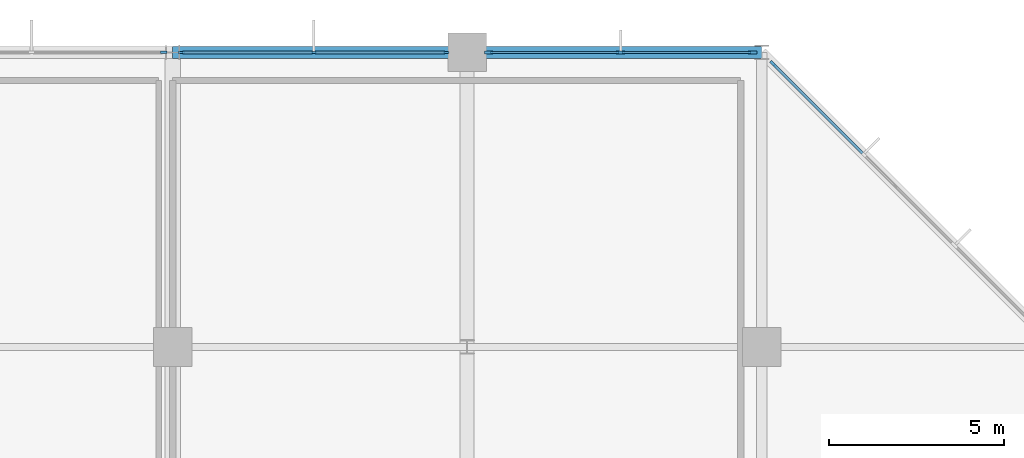
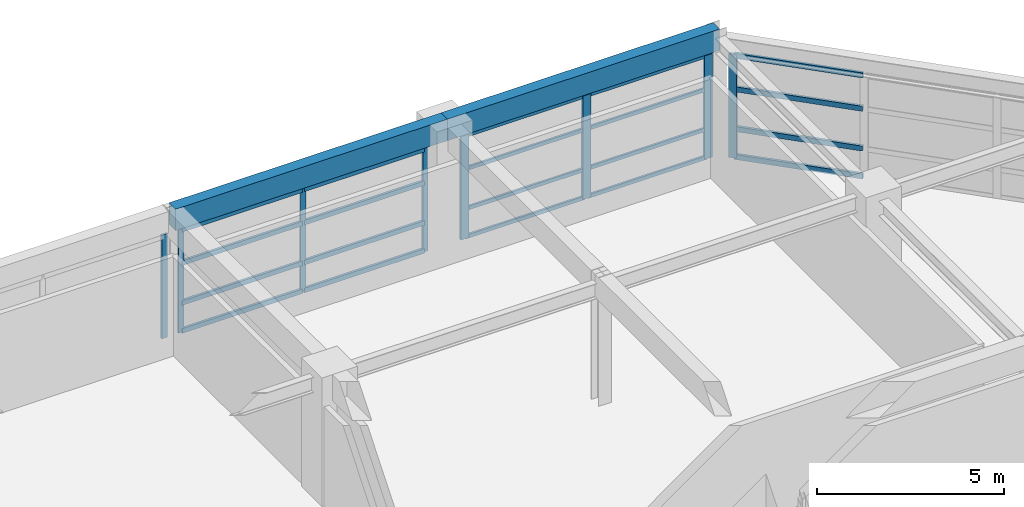
# One storey, part 11 of 18: 28 members, 2 beams, 4 elements without a shape of their own.
"""IFC4 building model written with IfcOpenShell, lengths in metres."""

from ifc_helpers import new_model, si_unit, direction, frame, origin, origin_2d, place, context, subcontext, project, spatial, rectangle, extrude, material, material_profile, profile_set, type_object, element, aggregate, save


model = new_model("IFC4")

# Units and contexts
model_context = context("Model", 3, precision=1e-05, world=origin(), true_north=direction((0.0, 1.0)))
body_context = subcontext(model_context, "Body", "Model", "MODEL_VIEW")
ifc_project = project(units=[si_unit("LENGTHUNIT", "METRE"), si_unit("AREAUNIT", "SQUARE_METRE"), si_unit("VOLUMEUNIT", "CUBIC_METRE"), si_unit("PLANEANGLEUNIT", "RADIAN"), si_unit("MASSUNIT", "GRAM", prefix="KILO")], contexts=[model_context])

# Site, building, storey
site_placement = place(None, origin())
site = spatial("IfcSite", under=ifc_project, at=site_placement, CompositionType="ELEMENT")
building_placement = place(site_placement, origin())
building = spatial("IfcBuilding", under=site, at=building_placement, Name="Xuanlan Plaza Opera House", CompositionType="ELEMENT")
storey_placement = place(building_placement, frame((0.0, 0.0, 32.10009765625)))
storey = spatial("IfcBuildingStorey", under=building, at=storey_placement, Name="L07", CompositionType="ELEMENT", Elevation=32.10009765625)

# Curtain wall, members
ifc_material_1 = material(Name="Anodised Aluminium 6063-T6 and Low-E Glass", Category="aluminium")
curtain_wall_type_1 = type_object("IfcCurtainWallType", Name="ENV-CW-CW-01", PredefinedType="USERDEFINED", material=ifc_material_1)
curtain_wall_1_placement = place(storey_placement, origin())
curtain_wall_1 = element("IfcCurtainWall", 1, at=curtain_wall_1_placement, inside=storey, type_object=curtain_wall_type_1, Name="Unitised Curtain Wall L07-012", ObjectType="UNITISED CURTAIN WALL", PredefinedType="USERDEFINED")
ifc_material_2 = material(Name="Anodised Aluminium 6063-T6", Category="aluminium")
ifc_material_profile_1 = material_profile(ifc_material_2, rectangle(XDim=0.06494140625, YDim=0.159912109375, at=origin_2d()), Name="ALU-M 65x160")
ifc_profile_set_1 = profile_set([ifc_material_profile_1], Name="Anodised Aluminium 6063-T6")
member_type_1 = type_object("IfcMemberType", Name="ENV-CWM-01", PredefinedType="MULLION", material=ifc_profile_set_1)
member_1_placement = place(storey_placement, frame((150.597412109375, 84.0, 0.0), z_axis=(0.0, 0.0, 1.0), x_axis=(0.0, -1.0, 0.0)))
member_1 = element("IfcMember", 2, at=member_1_placement, type_object=member_type_1, Name="CW-01 mullion 1", PredefinedType="MULLION", context=body_context, shape_type="SweptSolid", body=[
    extrude(rectangle(XDim=0.06494140625, YDim=0.159912109375, at=origin_2d()), origin(), (0.0, 0.0, 1.0), 3.3798828125),
])
member_2_placement = place(storey_placement, frame((146.824951171875, 84.0, 0.0), z_axis=(0.0, 0.0, 1.0), x_axis=(0.0, -1.0, 0.0)))
member_2 = element("IfcMember", 3, at=member_2_placement, type_object=member_type_1, Name="CW-01 mullion 2", PredefinedType="MULLION", context=body_context, shape_type="SweptSolid", body=[
    extrude(rectangle(XDim=0.06494140625, YDim=0.159912109375, at=origin_2d()), origin(), (0.0, 0.0, 1.0), 3.3798828125),
])
member_3_placement = place(storey_placement, frame((143.052490234375, 84.0, 0.0), z_axis=(0.0, 0.0, 1.0), x_axis=(0.0, -1.0, 0.0)))
member_3 = element("IfcMember", 4, at=member_3_placement, type_object=member_type_1, Name="CW-01 mullion 3", PredefinedType="MULLION", context=body_context, shape_type="SweptSolid", body=[
    extrude(rectangle(XDim=0.06494140625, YDim=0.159912109375, at=origin_2d()), origin(), (0.0, 0.0, 1.0), 3.3798828125),
])

# Curtain wall, member
curtain_wall_type_2 = type_object("IfcCurtainWallType", Name="ENV-CW-CW-02", PredefinedType="USERDEFINED", material=ifc_material_1)
curtain_wall_2_placement = place(storey_placement, origin())
curtain_wall_2 = element("IfcCurtainWall", 5, at=curtain_wall_2_placement, inside=storey, type_object=curtain_wall_type_2, Name="Unitised Curtain Wall L07-013", ObjectType="UNITISED CURTAIN WALL", PredefinedType="USERDEFINED")
ifc_material_profile_2 = material_profile(ifc_material_2, rectangle(XDim=0.070068359375, YDim=0.179931640625, at=origin_2d()), Name="ALU-M 70x180")
ifc_profile_set_2 = profile_set([ifc_material_profile_2], Name="Anodised Aluminium 6063-T6")
member_type_2 = type_object("IfcMemberType", Name="ENV-CWM-02", PredefinedType="MULLION", material=ifc_profile_set_2)
member_4_placement = place(storey_placement, frame((142.544921875, 84.0, 0.0), z_axis=(0.0, 0.0, 1.0), x_axis=(0.0, -1.0, 0.0)))
member_4 = element("IfcMember", 6, at=member_4_placement, type_object=member_type_2, Name="CW-02 mullion 1", PredefinedType="MULLION", context=body_context, shape_type="SweptSolid", body=[
    extrude(rectangle(XDim=0.070068359375, YDim=0.179931640625, at=origin_2d()), origin(), (0.0, 0.0, 1.0), 3.3798828125),
])
aggregate(curtain_wall_2, [member_4])

curtain_wall_type_3 = type_object("IfcCurtainWallType", Name="ENV-CW-CW-03", PredefinedType="USERDEFINED", material=ifc_material_1)
curtain_wall_3_placement = place(storey_placement, origin())
curtain_wall_3 = element("IfcCurtainWall", 7, at=curtain_wall_3_placement, inside=storey, type_object=curtain_wall_type_3, Name="Unitised Curtain Wall L07-010", ObjectType="UNITISED CURTAIN WALL", PredefinedType="USERDEFINED")
ifc_material_profile_3 = material_profile(ifc_material_2, rectangle(XDim=0.080078125, YDim=0.219970703125, at=origin_2d()), Name="ALU-M 80x220")
ifc_profile_set_3 = profile_set([ifc_material_profile_3], Name="Anodised Aluminium 6063-T6")
member_type_3 = type_object("IfcMemberType", Name="ENV-CWM-04", PredefinedType="MULLION", material=ifc_profile_set_3)
member_5_placement = place(storey_placement, frame((159.92724609375, 83.672607421875, 0.0), z_axis=(0.0, 0.0, 1.0), x_axis=(-0.707106781187, -0.707106781187, 0.0)))
member_5 = element("IfcMember", 8, at=member_5_placement, type_object=member_type_3, Name="CW-03 mullion 4", PredefinedType="MULLION", context=body_context, shape_type="SweptSolid", body=[
    extrude(rectangle(XDim=0.080078125, YDim=0.219970703125, at=origin_2d()), origin(), (0.0, 0.0, 1.0), 3.3798828125),
])

# Curtain wall, members
curtain_wall_type_4 = type_object("IfcCurtainWallType", Name="ENV-CW-CW-04", PredefinedType="USERDEFINED", material=ifc_material_1)
curtain_wall_4_placement = place(storey_placement, origin())
curtain_wall_4 = element("IfcCurtainWall", 9, at=curtain_wall_4_placement, inside=storey, type_object=curtain_wall_type_4, Name="Unitised Curtain Wall L07-011", ObjectType="UNITISED CURTAIN WALL", PredefinedType="USERDEFINED")
ifc_material_profile_4 = material_profile(ifc_material_2, rectangle(XDim=0.090087890625, YDim=0.25, at=origin_2d()), Name="ALU-M 90x250")
ifc_profile_set_4 = profile_set([ifc_material_profile_4], Name="Anodised Aluminium 6063-T6")
member_type_4 = type_object("IfcMemberType", Name="ENV-CWM-05", PredefinedType="MULLION", material=ifc_profile_set_4)
member_6_placement = place(storey_placement, frame((159.3349609375, 84.0, 0.0), z_axis=(0.0, 0.0, 1.0), x_axis=(0.0, -1.0, 0.0)))
member_6 = element("IfcMember", 10, at=member_6_placement, type_object=member_type_4, Name="CW-04 mullion 1", PredefinedType="MULLION", context=body_context, shape_type="SweptSolid", body=[
    extrude(rectangle(XDim=0.090087890625, YDim=0.25, at=origin_2d()), origin(), (0.0, 0.0, 1.0), 3.3798828125),
])
member_7_placement = place(storey_placement, frame((155.574951171875, 84.0, 0.0), z_axis=(0.0, 0.0, 1.0), x_axis=(0.0, -1.0, 0.0)))
member_7 = element("IfcMember", 11, at=member_7_placement, type_object=member_type_4, Name="CW-04 mullion 2", PredefinedType="MULLION", context=body_context, shape_type="SweptSolid", body=[
    extrude(rectangle(XDim=0.090087890625, YDim=0.25, at=origin_2d()), origin(), (0.0, 0.0, 1.0), 3.3798828125),
])
member_8_placement = place(storey_placement, frame((151.81494140625, 84.0, 0.0), z_axis=(0.0, 0.0, 1.0), x_axis=(0.0, -1.0, 0.0)))
member_8 = element("IfcMember", 12, at=member_8_placement, type_object=member_type_4, Name="CW-04 mullion 3", PredefinedType="MULLION", context=body_context, shape_type="SweptSolid", body=[
    extrude(rectangle(XDim=0.090087890625, YDim=0.25, at=origin_2d()), origin(), (0.0, 0.0, 1.0), 3.3798828125),
])
ifc_material_profile_5 = material_profile(ifc_material_2, rectangle(XDim=0.06494140625, YDim=0.1201171875, at=origin_2d()), Name="ALU-T 65x120")
ifc_profile_set_5 = profile_set([ifc_material_profile_5], Name="Anodised Aluminium 6063-T6")
member_type_5 = type_object("IfcMemberType", Name="ENV-CWT-01", PredefinedType="USERDEFINED", material=ifc_profile_set_5)
member_9_placement = place(storey_placement, frame((159.2900390625, 84.0, 0.032470703125), z_axis=(-1.0, 0.0, 0.0), x_axis=(0.0, -1.0, 0.0)))
member_9 = element("IfcMember", 13, at=member_9_placement, type_object=member_type_5, Name="CW-04 transom 1.1", ObjectType="TRANSOM", PredefinedType="USERDEFINED", context=body_context, shape_type="SweptSolid", body=[
    extrude(rectangle(XDim=0.06494140625, YDim=0.1201171875, at=origin_2d()), origin(), (0.0, 0.0, 1.0), 3.669921875),
])
member_10_placement = place(storey_placement, frame((159.2900390625, 84.0, 0.949951171875), z_axis=(-1.0, 0.0, 0.0), x_axis=(0.0, -1.0, 0.0)))
member_10 = element("IfcMember", 14, at=member_10_placement, type_object=member_type_5, Name="CW-04 transom 1.2", ObjectType="TRANSOM", PredefinedType="USERDEFINED", context=body_context, shape_type="SweptSolid", body=[
    extrude(rectangle(XDim=0.06494140625, YDim=0.1201171875, at=origin_2d()), origin(), (0.0, 0.0, 1.0), 3.669921875),
])
member_11_placement = place(storey_placement, frame((159.2900390625, 84.0, 2.25), z_axis=(-1.0, 0.0, 0.0), x_axis=(0.0, -1.0, 0.0)))
member_11 = element("IfcMember", 15, at=member_11_placement, type_object=member_type_5, Name="CW-04 transom 1.3", ObjectType="TRANSOM", PredefinedType="USERDEFINED", context=body_context, shape_type="SweptSolid", body=[
    extrude(rectangle(XDim=0.06494140625, YDim=0.1201171875, at=origin_2d()), origin(), (0.0, 0.0, 1.0), 3.669921875),
])
member_12_placement = place(storey_placement, frame((159.2900390625, 84.0, 3.347412109375), z_axis=(-1.0, 0.0, 0.0), x_axis=(0.0, -1.0, 0.0)))
member_12 = element("IfcMember", 16, at=member_12_placement, type_object=member_type_5, Name="CW-04 transom 1.4", ObjectType="TRANSOM", PredefinedType="USERDEFINED", context=body_context, shape_type="SweptSolid", body=[
    extrude(rectangle(XDim=0.06494140625, YDim=0.1201171875, at=origin_2d()), origin(), (0.0, 0.0, 1.0), 3.669921875),
])
member_13_placement = place(storey_placement, frame((155.530029296875, 84.0, 0.032470703125), z_axis=(-1.0, 0.0, 0.0), x_axis=(0.0, -1.0, 0.0)))
member_13 = element("IfcMember", 17, at=member_13_placement, type_object=member_type_5, Name="CW-04 transom 2.1", ObjectType="TRANSOM", PredefinedType="USERDEFINED", context=body_context, shape_type="SweptSolid", body=[
    extrude(rectangle(XDim=0.06494140625, YDim=0.1201171875, at=origin_2d()), origin(), (0.0, 0.0, 1.0), 3.669921875),
])
member_14_placement = place(storey_placement, frame((155.530029296875, 84.0, 0.949951171875), z_axis=(-1.0, 0.0, 0.0), x_axis=(0.0, -1.0, 0.0)))
member_14 = element("IfcMember", 18, at=member_14_placement, type_object=member_type_5, Name="CW-04 transom 2.2", ObjectType="TRANSOM", PredefinedType="USERDEFINED", context=body_context, shape_type="SweptSolid", body=[
    extrude(rectangle(XDim=0.06494140625, YDim=0.1201171875, at=origin_2d()), origin(), (0.0, 0.0, 1.0), 3.669921875),
])
member_15_placement = place(storey_placement, frame((155.530029296875, 84.0, 2.25), z_axis=(-1.0, 0.0, 0.0), x_axis=(0.0, -1.0, 0.0)))
member_15 = element("IfcMember", 19, at=member_15_placement, type_object=member_type_5, Name="CW-04 transom 2.3", ObjectType="TRANSOM", PredefinedType="USERDEFINED", context=body_context, shape_type="SweptSolid", body=[
    extrude(rectangle(XDim=0.06494140625, YDim=0.1201171875, at=origin_2d()), origin(), (0.0, 0.0, 1.0), 3.669921875),
])
member_16_placement = place(storey_placement, frame((155.530029296875, 84.0, 3.347412109375), z_axis=(-1.0, 0.0, 0.0), x_axis=(0.0, -1.0, 0.0)))
member_16 = element("IfcMember", 20, at=member_16_placement, type_object=member_type_5, Name="CW-04 transom 2.4", ObjectType="TRANSOM", PredefinedType="USERDEFINED", context=body_context, shape_type="SweptSolid", body=[
    extrude(rectangle(XDim=0.06494140625, YDim=0.1201171875, at=origin_2d()), origin(), (0.0, 0.0, 1.0), 3.669921875),
])
aggregate(curtain_wall_4, [member_6, member_7, member_8, member_9, member_10, member_11, member_12, member_13, member_14, member_15, member_16])

# Member
ifc_material_profile_6 = material_profile(ifc_material_2, rectangle(XDim=0.074951171875, YDim=0.14990234375, at=origin_2d()), Name="ALU-T 75x150")
ifc_profile_set_6 = profile_set([ifc_material_profile_6], Name="Anodised Aluminium 6063-T6")
member_type_6 = type_object("IfcMemberType", Name="ENV-CWT-03", PredefinedType="USERDEFINED", material=ifc_profile_set_6)
member_17_placement = place(storey_placement, frame((150.56494140625, 84.0, 0.037353515625), z_axis=(-1.0, 0.0, 0.0), x_axis=(0.0, -1.0, 0.0)))
member_17 = element("IfcMember", 21, at=member_17_placement, type_object=member_type_6, Name="CW-01 transom 1.1", ObjectType="TRANSOM", PredefinedType="USERDEFINED", context=body_context, shape_type="SweptSolid", body=[
    extrude(rectangle(XDim=0.074951171875, YDim=0.14990234375, at=origin_2d()), origin(), (0.0, 0.0, 1.0), 3.70751953125),
])

member_18_placement = place(storey_placement, frame((150.56494140625, 84.0, 0.949951171875), z_axis=(-1.0, 0.0, 0.0), x_axis=(0.0, -1.0, 0.0)))
member_18 = element("IfcMember", 22, at=member_18_placement, type_object=member_type_6, Name="CW-01 transom 1.2", ObjectType="TRANSOM", PredefinedType="USERDEFINED", context=body_context, shape_type="SweptSolid", body=[
    extrude(rectangle(XDim=0.074951171875, YDim=0.14990234375, at=origin_2d()), origin(), (0.0, 0.0, 1.0), 3.70751953125),
])

member_19_placement = place(storey_placement, frame((150.56494140625, 84.0, 2.25), z_axis=(-1.0, 0.0, 0.0), x_axis=(0.0, -1.0, 0.0)))
member_19 = element("IfcMember", 23, at=member_19_placement, type_object=member_type_6, Name="CW-01 transom 1.3", ObjectType="TRANSOM", PredefinedType="USERDEFINED", context=body_context, shape_type="SweptSolid", body=[
    extrude(rectangle(XDim=0.074951171875, YDim=0.14990234375, at=origin_2d()), origin(), (0.0, 0.0, 1.0), 3.70751953125),
])

member_20_placement = place(storey_placement, frame((150.56494140625, 84.0, 3.34228515625), z_axis=(-1.0, 0.0, 0.0), x_axis=(0.0, -1.0, 0.0)))
member_20 = element("IfcMember", 24, at=member_20_placement, type_object=member_type_6, Name="CW-01 transom 1.4", ObjectType="TRANSOM", PredefinedType="USERDEFINED", context=body_context, shape_type="SweptSolid", body=[
    extrude(rectangle(XDim=0.074951171875, YDim=0.14990234375, at=origin_2d()), origin(), (0.0, 0.0, 1.0), 3.70751953125),
])

member_21_placement = place(storey_placement, frame((146.79248046875, 84.0, 0.037353515625), z_axis=(-1.0, 0.0, 0.0), x_axis=(0.0, -1.0, 0.0)))
member_21 = element("IfcMember", 25, at=member_21_placement, type_object=member_type_6, Name="CW-01 transom 2.1", ObjectType="TRANSOM", PredefinedType="USERDEFINED", context=body_context, shape_type="SweptSolid", body=[
    extrude(rectangle(XDim=0.074951171875, YDim=0.14990234375, at=origin_2d()), origin(), (0.0, 0.0, 1.0), 3.70751953125),
])

member_22_placement = place(storey_placement, frame((146.79248046875, 84.0, 0.949951171875), z_axis=(-1.0, 0.0, 0.0), x_axis=(0.0, -1.0, 0.0)))
member_22 = element("IfcMember", 26, at=member_22_placement, type_object=member_type_6, Name="CW-01 transom 2.2", ObjectType="TRANSOM", PredefinedType="USERDEFINED", context=body_context, shape_type="SweptSolid", body=[
    extrude(rectangle(XDim=0.074951171875, YDim=0.14990234375, at=origin_2d()), origin(), (0.0, 0.0, 1.0), 3.70751953125),
])

member_23_placement = place(storey_placement, frame((146.79248046875, 84.0, 2.25), z_axis=(-1.0, 0.0, 0.0), x_axis=(0.0, -1.0, 0.0)))
member_23 = element("IfcMember", 27, at=member_23_placement, type_object=member_type_6, Name="CW-01 transom 2.3", ObjectType="TRANSOM", PredefinedType="USERDEFINED", context=body_context, shape_type="SweptSolid", body=[
    extrude(rectangle(XDim=0.074951171875, YDim=0.14990234375, at=origin_2d()), origin(), (0.0, 0.0, 1.0), 3.70751953125),
])

member_24_placement = place(storey_placement, frame((146.79248046875, 84.0, 3.34228515625), z_axis=(-1.0, 0.0, 0.0), x_axis=(0.0, -1.0, 0.0)))
member_24 = element("IfcMember", 28, at=member_24_placement, type_object=member_type_6, Name="CW-01 transom 2.4", ObjectType="TRANSOM", PredefinedType="USERDEFINED", context=body_context, shape_type="SweptSolid", body=[
    extrude(rectangle(XDim=0.074951171875, YDim=0.14990234375, at=origin_2d()), origin(), (0.0, 0.0, 1.0), 3.70751953125),
])

aggregate(curtain_wall_1, [member_1, member_2, member_3, member_17, member_18, member_19, member_20, member_21, member_22, member_23, member_24])

ifc_material_profile_7 = material_profile(ifc_material_2, rectangle(XDim=0.080078125, YDim=0.1650390625, at=origin_2d()), Name="ALU-T 80x165")
ifc_profile_set_7 = profile_set([ifc_material_profile_7], Name="Anodised Aluminium 6063-T6")
member_type_7 = type_object("IfcMemberType", Name="ENV-CWT-04", PredefinedType="USERDEFINED", material=ifc_profile_set_7)
member_25_placement = place(storey_placement, frame((162.471435546875, 81.128662109375, 0.039794921875), z_axis=(-0.707106781187, 0.707106781187, 0.0), x_axis=(-0.707106781187, -0.707106781187, 0.0)))
member_25 = element("IfcMember", 29, at=member_25_placement, type_object=member_type_7, Name="CW-03 transom 3.1", ObjectType="TRANSOM", PredefinedType="USERDEFINED", context=body_context, shape_type="SweptSolid", body=[
    extrude(rectangle(XDim=0.080078125, YDim=0.1650390625, at=origin_2d()), origin(), (0.0, 0.0, 1.0), 3.557861328125),
])

member_26_placement = place(storey_placement, frame((162.471435546875, 81.128662109375, 0.949951171875), z_axis=(-0.707106781187, 0.707106781187, 0.0), x_axis=(-0.707106781187, -0.707106781187, 0.0)))
member_26 = element("IfcMember", 30, at=member_26_placement, type_object=member_type_7, Name="CW-03 transom 3.2", ObjectType="TRANSOM", PredefinedType="USERDEFINED", context=body_context, shape_type="SweptSolid", body=[
    extrude(rectangle(XDim=0.080078125, YDim=0.1650390625, at=origin_2d()), origin(), (0.0, 0.0, 1.0), 3.557861328125),
])

member_27_placement = place(storey_placement, frame((162.471435546875, 81.128662109375, 2.25), z_axis=(-0.707106781187, 0.707106781187, 0.0), x_axis=(-0.707106781187, -0.707106781187, 0.0)))
member_27 = element("IfcMember", 31, at=member_27_placement, type_object=member_type_7, Name="CW-03 transom 3.3", ObjectType="TRANSOM", PredefinedType="USERDEFINED", context=body_context, shape_type="SweptSolid", body=[
    extrude(rectangle(XDim=0.080078125, YDim=0.1650390625, at=origin_2d()), origin(), (0.0, 0.0, 1.0), 3.557861328125),
])

member_28_placement = place(storey_placement, frame((162.471435546875, 81.128662109375, 3.33984375), z_axis=(-0.707106781187, 0.707106781187, 0.0), x_axis=(-0.707106781187, -0.707106781187, 0.0)))
member_28 = element("IfcMember", 32, at=member_28_placement, type_object=member_type_7, Name="CW-03 transom 3.4", ObjectType="TRANSOM", PredefinedType="USERDEFINED", context=body_context, shape_type="SweptSolid", body=[
    extrude(rectangle(XDim=0.080078125, YDim=0.1650390625, at=origin_2d()), origin(), (0.0, 0.0, 1.0), 3.557861328125),
])

aggregate(curtain_wall_3, [member_5, member_25, member_26, member_27, member_28])

# Beams
ifc_material_3 = material(Name="Concrete C40", Category="concrete")
ifc_material_profile_8 = material_profile(ifc_material_3, rectangle(XDim=0.35009765625, YDim=0.699951171875, at=origin_2d()), Name="RC-SPD 350x700")
ifc_profile_set_8 = profile_set([ifc_material_profile_8], Name="Concrete C40")
beam_type = type_object("IfcBeamType", Name="STR-BM-SP-02", PredefinedType="SPANDREL", material=ifc_profile_set_8)
beam_1_placement = place(storey_placement, frame((142.800048828125, 84.0, 3.849853515625), z_axis=(1.0, 0.0, 0.0), x_axis=(0.0, 1.0, 0.0)))
element("IfcBeam", 33, at=beam_1_placement, inside=storey, type_object=beam_type, Name="Grid Beam X L07 18-19/K", PredefinedType="SPANDREL", context=body_context, shape_type="SweptSolid", body=[
    extrude(rectangle(XDim=0.35009765625, YDim=0.699951171875, at=origin_2d()), origin(), (0.0, 0.0, 1.0), 8.39990234375),
])
beam_2_placement = place(storey_placement, frame((151.199951171875, 84.0, 3.849853515625), z_axis=(1.0, 0.0, 0.0), x_axis=(0.0, 1.0, 0.0)))
element("IfcBeam", 34, at=beam_2_placement, inside=storey, type_object=beam_type, Name="Grid Beam X L07 19-20/K", PredefinedType="SPANDREL", context=body_context, shape_type="SweptSolid", body=[
    extrude(rectangle(XDim=0.35009765625, YDim=0.699951171875, at=origin_2d()), origin(), (0.0, 0.0, 1.0), 8.400146484375),
])

save(model, "model.ifc")
